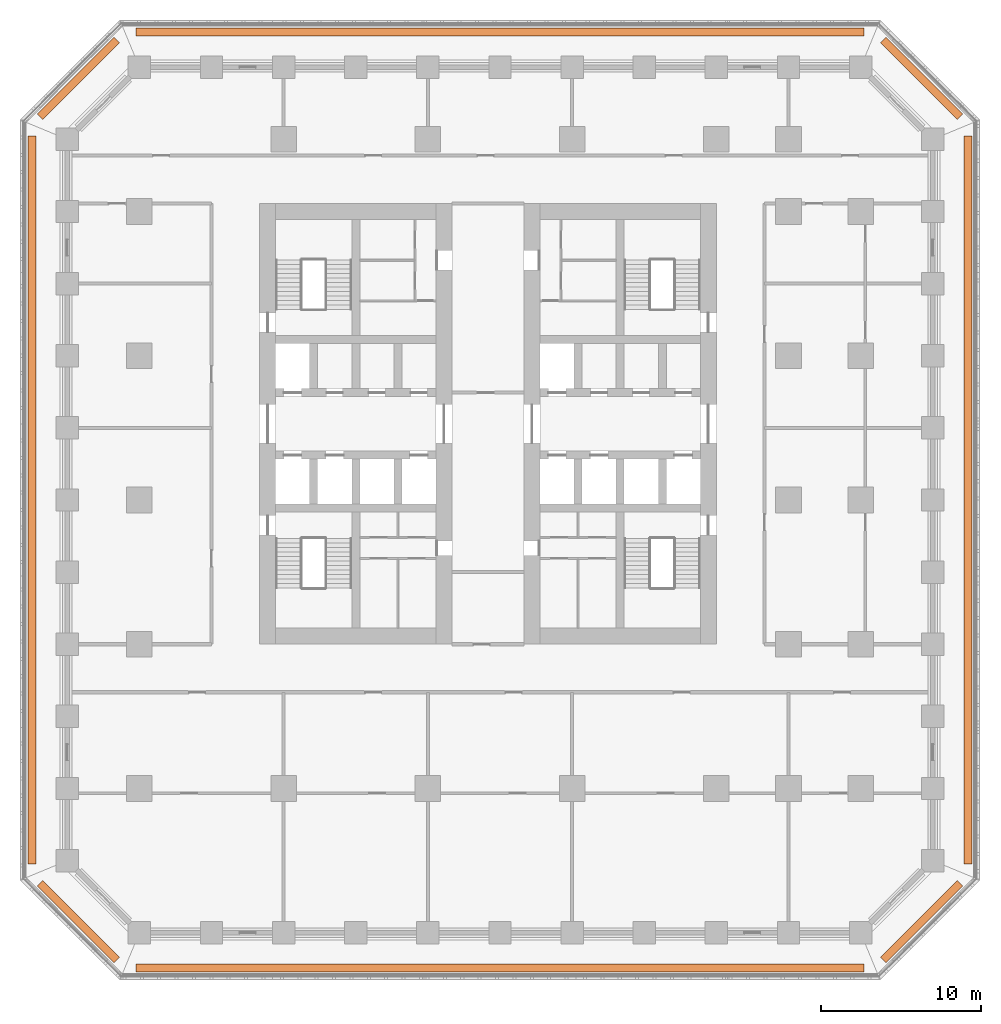
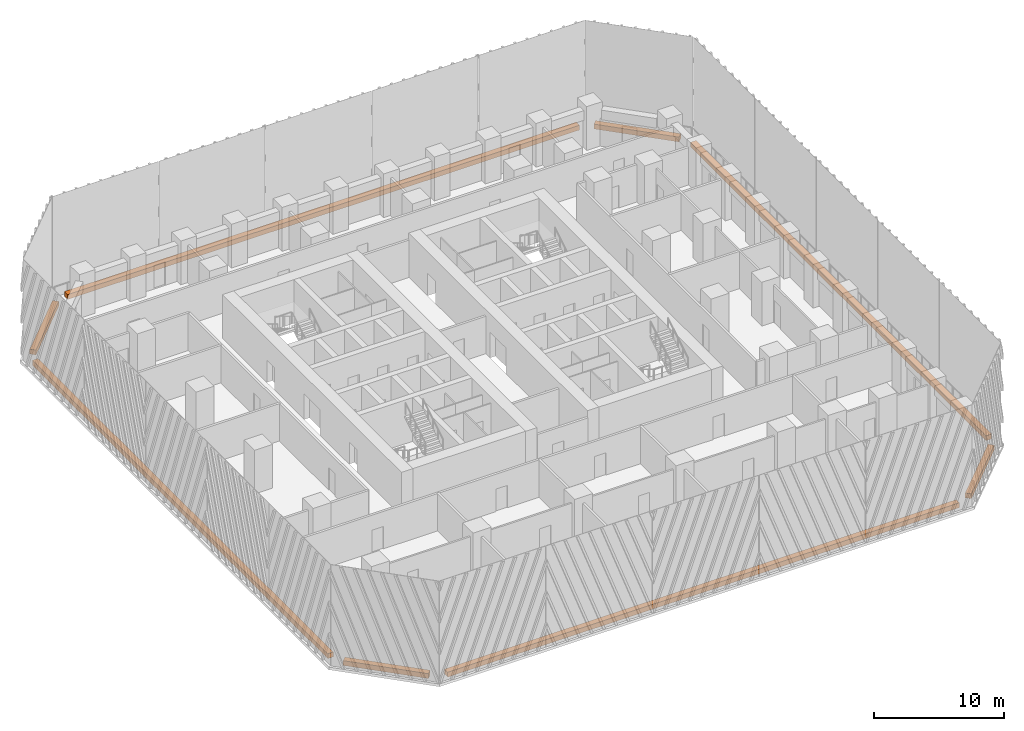
# One storey, part 13 of 13: 8 proxies.
"""IFC4 building model written with IfcOpenShell, lengths in metres."""

from ifc_helpers import new_model, si_unit, direction, frame, origin, origin_2d, place, context, subcontext, project, spatial, rectangle, extrude, material, type_object, element, save


model = new_model("IFC4")

# Units and contexts
model_context = context("Model", 3, precision=1e-05, world=origin(), true_north=direction((0.0, 1.0)))
body_context = subcontext(model_context, "Body", "Model", "MODEL_VIEW")
ifc_project = project(units=[si_unit("LENGTHUNIT", "METRE"), si_unit("AREAUNIT", "SQUARE_METRE"), si_unit("VOLUMEUNIT", "CUBIC_METRE"), si_unit("PLANEANGLEUNIT", "RADIAN"), si_unit("MASSUNIT", "GRAM", prefix="KILO")], contexts=[model_context])

# Site, building, storey
site_placement = place(None, origin())
site = spatial("IfcSite", under=ifc_project, at=site_placement, CompositionType="ELEMENT")
building_placement = place(site_placement, origin())
building = spatial("IfcBuilding", under=site, at=building_placement, Name="Corbel Stack Research Tower", CompositionType="ELEMENT")
storey_placement = place(building_placement, frame((0.0, 0.0, 66.5)))
storey = spatial("IfcBuildingStorey", under=building, at=storey_placement, Name="L15", CompositionType="ELEMENT", Elevation=66.5)

# Proxies
ifc_material = material(Name="Concrete C45/55", Category="concrete")
building_element_proxy_type = type_object("IfcBuildingElementProxyType", Name="Planter box", PredefinedType="USERDEFINED", material=ifc_material)
proxy_1_placement = place(storey_placement, frame((4.5, -29.199951171875, 0.0), z_axis=(0.0, 0.0, 1.0), x_axis=(1.0, 0.0, 0.0)))
element("IfcBuildingElementProxy", 1, at=proxy_1_placement, inside=storey, type_object=building_element_proxy_type, Name="Planter L15 S", ObjectType="PLANTER", PredefinedType="USERDEFINED", context=body_context, shape_type="SweptSolid", body=[
    extrude(rectangle(XDim=45.41064453125, YDim=0.5, at=origin_2d()), origin(), (0.0, 0.0, 1.0), 0.449951171875),
])
proxy_2_placement = place(storey_placement, frame((30.8056640625, -26.3056640625, 0.0), z_axis=(0.0, 0.0, 1.0), x_axis=(0.707106781187, 0.707106781187, 0.0)))
element("IfcBuildingElementProxy", 2, at=proxy_2_placement, inside=storey, type_object=building_element_proxy_type, Name="Planter L15 SE", ObjectType="PLANTER", PredefinedType="USERDEFINED", context=body_context, shape_type="SweptSolid", body=[
    extrude(rectangle(XDim=6.774658203125, YDim=0.5, at=origin_2d()), origin(), (0.0, 0.0, 1.0), 0.449951171875),
])
proxy_3_placement = place(storey_placement, frame((33.699951171875, 0.0, 0.0), z_axis=(0.0, 0.0, 1.0), x_axis=(0.0, 1.0, 0.0)))
element("IfcBuildingElementProxy", 3, at=proxy_3_placement, inside=storey, type_object=building_element_proxy_type, Name="Planter L15 E", ObjectType="PLANTER", PredefinedType="USERDEFINED", context=body_context, shape_type="SweptSolid", body=[
    extrude(rectangle(XDim=45.41064453125, YDim=0.5, at=origin_2d()), origin(), (0.0, 0.0, 1.0), 0.449951171875),
])
proxy_4_placement = place(storey_placement, frame((30.8056640625, 26.3056640625, 0.0), z_axis=(0.0, 0.0, 1.0), x_axis=(-0.707106781187, 0.707106781187, 0.0)))
element("IfcBuildingElementProxy", 4, at=proxy_4_placement, inside=storey, type_object=building_element_proxy_type, Name="Planter L15 NE", ObjectType="PLANTER", PredefinedType="USERDEFINED", context=body_context, shape_type="SweptSolid", body=[
    extrude(rectangle(XDim=6.774658203125, YDim=0.5, at=origin_2d()), origin(), (0.0, 0.0, 1.0), 0.449951171875),
])
proxy_5_placement = place(storey_placement, frame((4.5, 29.199951171875, 0.0), z_axis=(0.0, 0.0, 1.0), x_axis=(-1.0, 0.0, 0.0)))
element("IfcBuildingElementProxy", 5, at=proxy_5_placement, inside=storey, type_object=building_element_proxy_type, Name="Planter L15 N", ObjectType="PLANTER", PredefinedType="USERDEFINED", context=body_context, shape_type="SweptSolid", body=[
    extrude(rectangle(XDim=45.41064453125, YDim=0.5, at=origin_2d()), origin(), (0.0, 0.0, 1.0), 0.449951171875),
])
proxy_6_placement = place(storey_placement, frame((-21.8056640625, 26.3056640625, 0.0), z_axis=(0.0, 0.0, 1.0), x_axis=(-0.707106781187, -0.707106781187, 0.0)))
element("IfcBuildingElementProxy", 6, at=proxy_6_placement, inside=storey, type_object=building_element_proxy_type, Name="Planter L15 NW", ObjectType="PLANTER", PredefinedType="USERDEFINED", context=body_context, shape_type="SweptSolid", body=[
    extrude(rectangle(XDim=6.774658203125, YDim=0.5, at=origin_2d()), origin(), (0.0, 0.0, 1.0), 0.449951171875),
])
proxy_7_placement = place(storey_placement, frame((-24.699951171875, 0.0, 0.0), z_axis=(0.0, 0.0, 1.0), x_axis=(0.0, -1.0, 0.0)))
element("IfcBuildingElementProxy", 7, at=proxy_7_placement, inside=storey, type_object=building_element_proxy_type, Name="Planter L15 W", ObjectType="PLANTER", PredefinedType="USERDEFINED", context=body_context, shape_type="SweptSolid", body=[
    extrude(rectangle(XDim=45.41064453125, YDim=0.5, at=origin_2d()), origin(), (0.0, 0.0, 1.0), 0.449951171875),
])
proxy_8_placement = place(storey_placement, frame((-21.8056640625, -26.3056640625, 0.0), z_axis=(0.0, 0.0, 1.0), x_axis=(0.707106781187, -0.707106781187, 0.0)))
element("IfcBuildingElementProxy", 8, at=proxy_8_placement, inside=storey, type_object=building_element_proxy_type, Name="Planter L15 SW", ObjectType="PLANTER", PredefinedType="USERDEFINED", context=body_context, shape_type="SweptSolid", body=[
    extrude(rectangle(XDim=6.774658203125, YDim=0.5, at=origin_2d()), origin(), (0.0, 0.0, 1.0), 0.449951171875),
])

save(model, "model.ifc")
